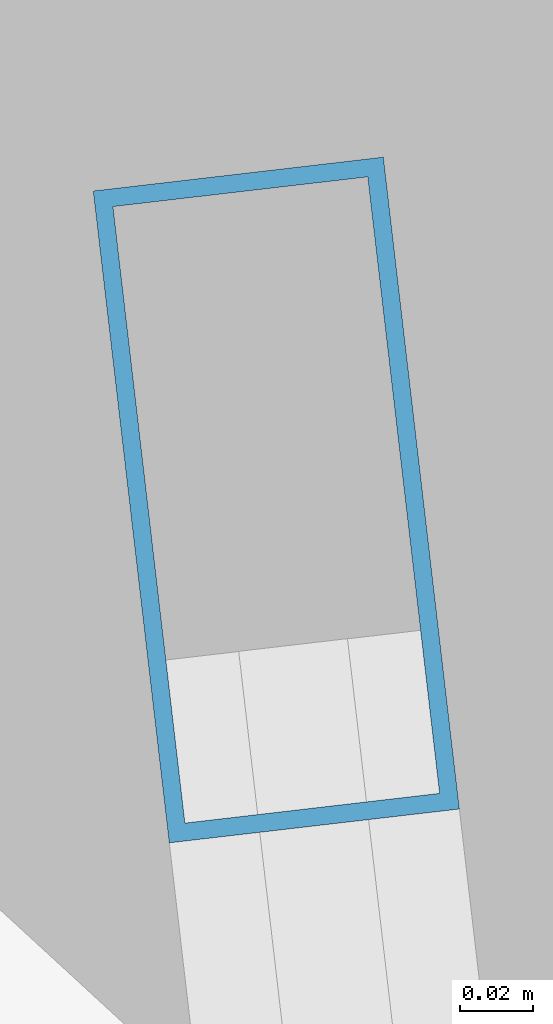
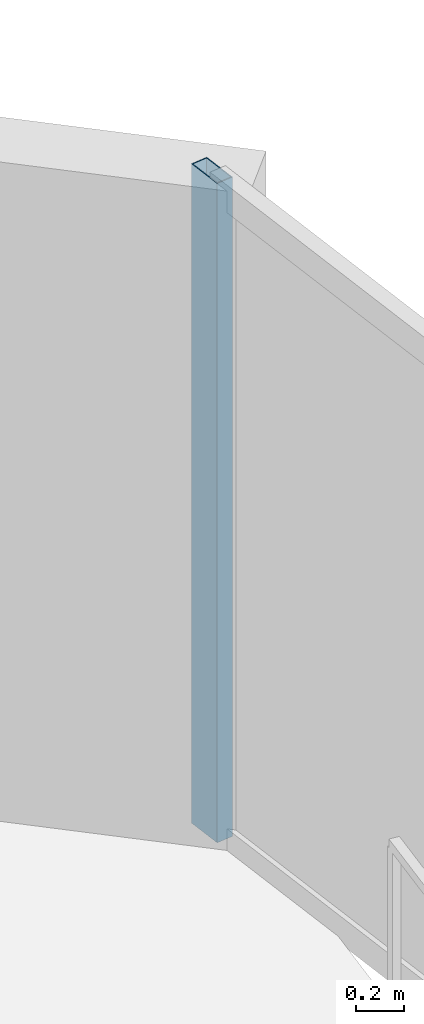
# One storey, part 22 of 30: 1 member, 1 element without a shape of its own.
"""IFC4 building model written with IfcOpenShell, lengths in metres."""

from ifc_helpers import new_model, si_unit, direction, frame, origin, origin_2d, place, context, subcontext, project, spatial, hollow_rectangle, extrude, material, layer, layer_set, material_profile, profile_set, type_object, element, aggregate, save


model = new_model("IFC4")

# Units and contexts
model_context = context("Model", 3, precision=1e-05, world=origin(), true_north=direction((0.0, 1.0)))
body_context = subcontext(model_context, "Body", "Model", "MODEL_VIEW")
ifc_project = project(units=[si_unit("LENGTHUNIT", "METRE"), si_unit("AREAUNIT", "SQUARE_METRE"), si_unit("VOLUMEUNIT", "CUBIC_METRE"), si_unit("PLANEANGLEUNIT", "RADIAN"), si_unit("MASSUNIT", "GRAM", prefix="KILO")], contexts=[model_context])

# Site, building, storey
site_placement = place(None, origin())
site = spatial("IfcSite", under=ifc_project, at=site_placement, CompositionType="ELEMENT")
building_placement = place(site_placement, origin())
building = spatial("IfcBuilding", under=site, at=building_placement, Name="Kazevale Care Tower and Concert Hall", CompositionType="ELEMENT")
storey_placement = place(building_placement, frame((0.0, 0.0, 242.39990234375)))
storey = spatial("IfcBuildingStorey", under=building, at=storey_placement, Name="L64", CompositionType="ELEMENT", Elevation=242.39990234375)

# Curtain wall, member
ifc_material_1 = material(Name="Aluminium 6063-T6 and Low-E Glass", Category="aluminium")
ifc_layer = layer(ifc_material_1, 0.179931640625)
ifc_layer_set = layer_set([ifc_layer], Name="Aluminium 6063-T6 and Low-E Glass")
curtain_wall_type = type_object("IfcCurtainWallType", Name="Waist & Upper Residential Curtain Wall CW-4", PredefinedType="NOTDEFINED", material=ifc_layer_set)
curtain_wall_placement = place(storey_placement, origin())
curtain_wall = element("IfcCurtainWall", 1, at=curtain_wall_placement, inside=storey, type_object=curtain_wall_type, Name="cw:L64:f18", PredefinedType="NOTDEFINED")
ifc_material_2 = material(Name="Aluminium 6063-T6", Category="aluminium")
ifc_material_profile = material_profile(ifc_material_2, hollow_rectangle(XDim=0.080078125, YDim=0.179931640625, WallThickness=0.0048828125, at=origin_2d()), Name="ALU80x180x5")
ifc_profile_set = profile_set([ifc_material_profile], Name="Aluminium 6063-T6")
member_type = type_object("IfcMemberType", Name="CW-4 Mullion ALU80x180x5", PredefinedType="MULLION", material=ifc_profile_set)
member_placement = place(storey_placement, frame((75.2255859375, 49.955322265625, 0.0), z_axis=(0.0, 0.0, 1.0), x_axis=(0.993267109779, 0.115846659989, 0.0)))
member = element("IfcMember", 2, at=member_placement, type_object=member_type, Name="CW-4 mullion 1", PredefinedType="MULLION", context=body_context, shape_type="SweptSolid", body=[
    extrude(hollow_rectangle(XDim=0.080078125, YDim=0.179931640625, WallThickness=0.0048828125, at=origin_2d()), origin(), (0.0, 0.0, 1.0), 3.360107421875),
])
aggregate(curtain_wall, [member])

save(model, "model.ifc")
